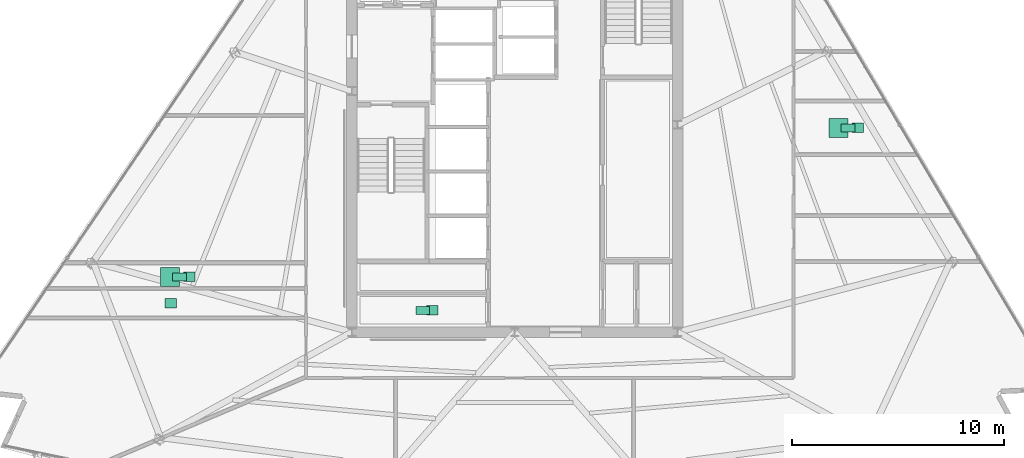
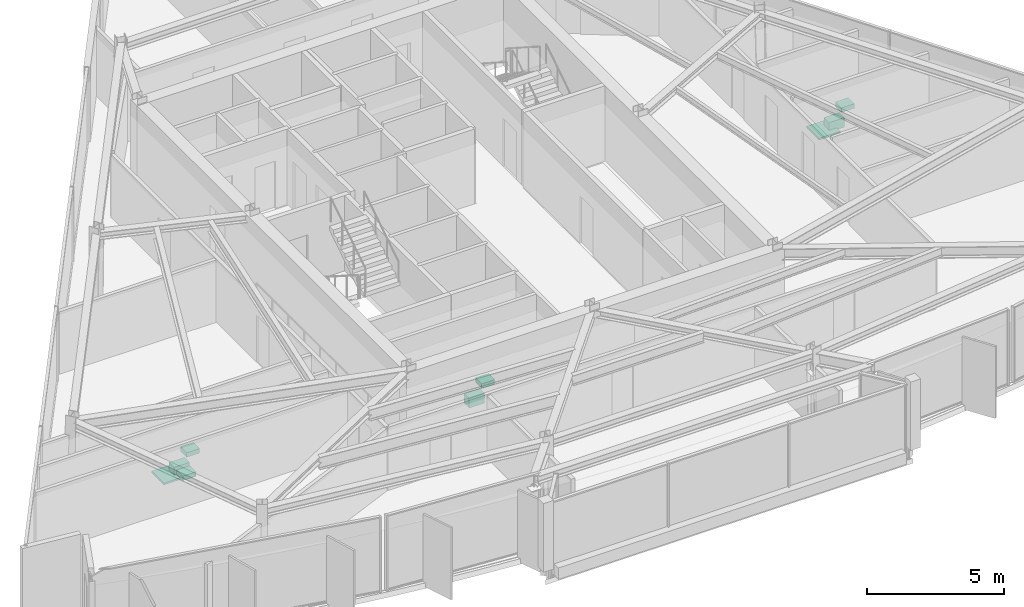
# One storey, part 14 of 14: 9 sanitary terminals.
"""IFC4 building model written with IfcOpenShell, lengths in metres."""

import ifcopenshell
import ifcopenshell.guid

model = None  # the IFC model being written
_history = None  # IfcOwnerHistory: only IFC2X3 demands one
_inside = {}  # id of a spatial element -> (the spatial element, [elements in it])
_under = {}  # id of a project, library or spatial element -> (it, [spatial elements below it])
_declared = {}  # id of a project -> (the project, [libraries it declares])
_typed = {}  # id of a type object -> (the type object, [elements of that type])
_made_of = {}  # id of a material, layer set ... -> (it, [elements and type objects made of it])


def new_model(schema):
    """Start an empty IFC model of exactly this schema.

    Asked for "IFC4X3", IfcOpenShell would pick the latest addendum, in which some entities
    have other attributes; the version numbers below select the first issue.
    IFC2X3 requires an IfcOwnerHistory on every rooted entity: one is made here for all.
    """
    global model, _history
    if schema == "IFC4X3":
        model = ifcopenshell.file(schema_version=(4, 3, 0, 0))
    else:
        model = ifcopenshell.file(schema=schema)
    _inside.clear()
    _under.clear()
    _declared.clear()
    _typed.clear()
    _made_of.clear()
    _history = None
    if model.schema == "IFC2X3":
        org = make("IfcOrganization", Name="unknown")
        user = make(
            "IfcPersonAndOrganization",
            ThePerson=make("IfcPerson", FamilyName="unknown"),
            TheOrganization=org,
        )
        app = make(
            "IfcApplication",
            ApplicationDeveloper=org,
            Version="unknown",
            ApplicationFullName="unknown",
            ApplicationIdentifier="unknown",
        )
        _history = make(
            "IfcOwnerHistory",
            OwningUser=user,
            OwningApplication=app,
            ChangeAction="ADDED",
            CreationDate=0,
        )
    return model


def make(cls, **values):
    """One entity of the class cls with the attributes given. An attribute that is None is left unset."""
    return model.create_entity(
        cls, **{name: value for name, value in values.items() if value is not None}
    )


def rooted(cls, **values):
    """An entity with a GlobalId (a new one), such as an element, a storey or a relation."""
    return make(cls, GlobalId=ifcopenshell.guid.new(), OwnerHistory=_history, **values)


def si_unit(unit_type, name, prefix=None):
    """IfcSIUnit, for example si_unit("LENGTHUNIT", "METRE", prefix="MILLI")."""
    return make("IfcSIUnit", UnitType=unit_type, Prefix=prefix, Name=name)


def assignment(units):
    """IfcUnitAssignment: the units of a project."""
    return None if units is None else make("IfcUnitAssignment", Units=units)


def point(xyz):
    """IfcCartesianPoint."""
    return None if xyz is None else make("IfcCartesianPoint", Coordinates=xyz)


def direction(xyz):
    """IfcDirection."""
    return None if xyz is None else make("IfcDirection", DirectionRatios=xyz)


def frame(location, z_axis=None, x_axis=None):
    """IfcAxis2Placement3D, a coordinate frame: its origin and axes. An axis left out is left unset."""
    return make(
        "IfcAxis2Placement3D",
        Location=point(location),
        Axis=direction(z_axis),
        RefDirection=direction(x_axis),
    )


def frame_2d(location, x_axis=None):
    """IfcAxis2Placement2D, a coordinate frame in the plane: its origin and x axis."""
    return make(
        "IfcAxis2Placement2D", Location=point(location), RefDirection=direction(x_axis)
    )


def origin():
    """The frame at (0, 0, 0) with its axes left unset."""
    return frame((0.0, 0.0, 0.0))


def origin_2d():
    """The frame at (0, 0) in the plane with its x axis left unset."""
    return frame_2d((0.0, 0.0))


def place(relative_to, where):
    """IfcLocalPlacement: puts the frame where relative to a parent placement (None: the world)."""
    return make(
        "IfcLocalPlacement", PlacementRelTo=relative_to, RelativePlacement=where
    )


def context(
    kind, dimensions, precision=None, world=None, true_north=None, identifier=None
):
    """IfcGeometricRepresentationContext, for example the 3D "Model" context."""
    return make(
        "IfcGeometricRepresentationContext",
        ContextIdentifier=identifier,
        ContextType=kind,
        CoordinateSpaceDimension=dimensions,
        Precision=precision,
        WorldCoordinateSystem=world,
        TrueNorth=true_north,
    )


def subcontext(parent, identifier, kind, view, scale=None):
    """IfcGeometricRepresentationSubContext, for example "Body" below "Model"."""
    return make(
        "IfcGeometricRepresentationSubContext",
        ContextIdentifier=identifier,
        ContextType=kind,
        ParentContext=parent,
        TargetScale=scale,
        TargetView=view,
    )


def project(units=None, contexts=None):
    """IfcProject with its units and contexts."""
    return rooted(
        "IfcProject",
        Name="project",
        RepresentationContexts=contexts,
        UnitsInContext=assignment(units),
    )


def spatial(cls, under=None, at=None, **own):
    """A site, building, storey or space (cls), placed at a placement, below another one or the project."""
    s = rooted(cls, ObjectPlacement=at, **own)
    if under is not None:
        _under.setdefault(under.id(), (under, []))[1].append(s)
    return s


def profile(cls, at=None, kind="AREA", **sizes):
    """A parametric profile (cls). Its sizes go by their IFC names, for example OverallWidth=200.0."""
    return make(cls, ProfileType=kind, Position=at, **sizes)


def rectangle(**sizes):
    """IfcRectangleProfileDef."""
    return profile("IfcRectangleProfileDef", **sizes)


def extrude(swept, where, along, depth):
    """IfcExtrudedAreaSolid: the profile swept, set in the frame where, extruded along a direction by depth."""
    return make(
        "IfcExtrudedAreaSolid",
        SweptArea=swept,
        Position=where,
        ExtrudedDirection=direction(along),
        Depth=depth,
    )


def shape(context_of_items, identifier, shape_type, items):
    """IfcShapeRepresentation: the items that make up one representation, for example the "Body"."""
    return make(
        "IfcShapeRepresentation",
        ContextOfItems=context_of_items,
        RepresentationIdentifier=identifier,
        RepresentationType=shape_type,
        Items=items,
    )


def material(Name=None, Category=None):
    """IfcMaterial."""
    return make("IfcMaterial", Name=Name, Category=Category)


def made_of(thing, what):
    """Note that an element or type object is made of a material, layer set ...; save() writes the relation."""
    if what is not None:
        _made_of.setdefault(what.id(), (what, []))[1].append(thing)
    return thing


def type_object(cls, material=None, **own):
    """A type object (cls), such as IfcWallType, which elements share."""
    return made_of(rooted(cls, **own), material)


def element(
    cls,
    number,
    at=None,
    inside=None,
    cuts=None,
    type_object=None,
    material=None,
    context=None,
    identifier="Body",
    shape_type=None,
    held_by="IfcProductDefinitionShape",
    body=None,
    shapes=None,
    **own,
):
    """One element of the class cls, such as IfcWall. Its Tag is "e" and its number.

    at: its placement. inside: the storey or other place that contains it. cuts: it is an
    opening in that element (IfcRelVoidsElement). A single representation is given by context,
    identifier, shape_type and body (its items); several are given by shapes. held_by: the class
    of the entity that holds the representations. save() writes the other relations.
    """
    e = rooted(cls, Tag="e%d" % number, ObjectPlacement=at, **own)
    if body is not None:
        shapes = [shape(context, identifier, shape_type, body)]
    if shapes is not None:
        e.Representation = make(held_by, Representations=shapes)
    if inside is not None:
        _inside.setdefault(inside.id(), (inside, []))[1].append(e)
    if cuts is not None:
        rooted(
            "IfcRelVoidsElement", RelatingBuildingElement=cuts, RelatedOpeningElement=e
        )
    if type_object is not None:
        _typed.setdefault(type_object.id(), (type_object, []))[1].append(e)
    return made_of(e, material)


def aggregate(whole, parts):
    """IfcRelAggregates: a whole, such as a stair, and the parts it consists of."""
    return rooted("IfcRelAggregates", RelatingObject=whole, RelatedObjects=parts)


def save(model, path):
    """Write the relations noted so far, then the file.

    IfcRelAggregates (storeys below a building ...), IfcRelContainedInSpatialStructure (elements
    in a storey), IfcRelDefinesByType, IfcRelAssociatesMaterial and IfcRelDeclares: one each for
    every whole, place, type object, material and project.
    """
    for whole, parts in _under.values():
        aggregate(whole, parts)
    for where, things in _inside.values():
        rooted(
            "IfcRelContainedInSpatialStructure",
            RelatedElements=things,
            RelatingStructure=where,
        )
    for kind, things in _typed.values():
        rooted("IfcRelDefinesByType", RelatedObjects=things, RelatingType=kind)
    for what, things in _made_of.values():
        rooted("IfcRelAssociatesMaterial", RelatedObjects=things, RelatingMaterial=what)
    for by, libraries in _declared.values():
        rooted("IfcRelDeclares", RelatingContext=by, RelatedDefinitions=libraries)
    model.write(path)


model = new_model("IFC4")

# Units and contexts
model_context = context("Model", 3, precision=1e-05, world=origin(), true_north=direction((0.0, 1.0)))
body_context = subcontext(model_context, "Body", "Model", "MODEL_VIEW")
ifc_project = project(units=[si_unit("LENGTHUNIT", "METRE"), si_unit("AREAUNIT", "SQUARE_METRE"), si_unit("VOLUMEUNIT", "CUBIC_METRE"), si_unit("PLANEANGLEUNIT", "RADIAN"), si_unit("MASSUNIT", "GRAM", prefix="KILO")], contexts=[model_context])

# Site, building, storey
site_placement = place(None, origin())
site = spatial("IfcSite", under=ifc_project, at=site_placement, CompositionType="ELEMENT")
building_placement = place(site_placement, origin())
building = spatial("IfcBuilding", under=site, at=building_placement, Name="Savorim Split Tower", CompositionType="ELEMENT")
storey_placement = place(building_placement, frame((0.0, 0.0, 205.5)))
storey = spatial("IfcBuildingStorey", under=building, at=storey_placement, Name="L54", CompositionType="ELEMENT", Elevation=205.5)

# Sanitary terminals
ifc_material = material(Name="Vitreous China Sanitaryware")
sanitary_terminal_type_1 = type_object("IfcSanitaryTerminalType", Name="SAN-SHW-900", PredefinedType="SHOWER", material=ifc_material)
for number, where, z_axis, x_axis, name in (
    (1, (-16.2900390625, -6.783935546875, 0.0), (0.0, 0.0, 1.0), (1.0, 0.0, 0.0), "L54 Shared Bathroom Shower"),
    (2, (15.306640625, 0.250732421875, 0.0), (0.0, 0.0, 1.0), (1.0, 0.0, 0.0), "L54 Shared Bathroom Shower"),
):
    element("IfcSanitaryTerminal", number, at=place(storey_placement, frame(where, z_axis=z_axis, x_axis=x_axis)), inside=storey, type_object=sanitary_terminal_type_1, Name=name, PredefinedType="SHOWER", context=body_context, shape_type="SweptSolid", body=[
        extrude(rectangle(XDim=0.89990234375, YDim=0.89990234375, at=origin_2d()), origin(), (0.0, 0.0, 1.0), 0.080078125),
    ])
sanitary_terminal_type_2 = type_object("IfcSanitaryTerminalType", Name="SAN-WC-PAN", PredefinedType="TOILETPAN", material=ifc_material)
for number, where, z_axis, x_axis, name in (
    (3, (-4.35009765625, -8.3701171875, 0.0), (0.0, 0.0, 1.0), (1.0, 0.0, 0.0), "L54 Public WC WC Pan"),
    (4, (-15.840087890625, -6.783935546875, 0.0), (0.0, 0.0, 1.0), (1.0, 0.0, 0.0), "L54 Shared Bathroom WC Pan"),
    (5, (15.756591796875, 0.250732421875, 0.0), (0.0, 0.0, 1.0), (1.0, 0.0, 0.0), "L54 Shared Bathroom WC Pan"),
):
    element("IfcSanitaryTerminal", number, at=place(storey_placement, frame(where, z_axis=z_axis, x_axis=x_axis)), inside=storey, type_object=sanitary_terminal_type_2, Name=name, PredefinedType="TOILETPAN", context=body_context, shape_type="SweptSolid", body=[
        extrude(rectangle(XDim=0.64990234375, YDim=0.3798828125, at=origin_2d()), origin(), (0.0, 0.0, 1.0), 0.419921875),
    ])
sanitary_terminal_type_3 = type_object("IfcSanitaryTerminalType", Name="SAN-WHB-550", PredefinedType="WASHHANDBASIN", material=ifc_material)
for number, where, z_axis, x_axis, name in (
    (6, (-3.89990234375, -8.3701171875, 0.72021484375), (0.0, 0.0, 1.0), (1.0, 0.0, 0.0), "L54 Public WC Washhand Basin"),
    (7, (-15.389892578125, -6.783935546875, 0.72021484375), (0.0, 0.0, 1.0), (1.0, 0.0, 0.0), "L54 Shared Bathroom Washhand Basin"),
    (8, (-16.2666015625, -8.03857421875, 0.75), (0.0, 0.0, 1.0), (1.0, 0.0, 0.0), "L54 Shared Kitchen Utility Sink"),
    (9, (16.206787109375, 0.250732421875, 0.72021484375), (0.0, 0.0, 1.0), (1.0, 0.0, 0.0), "L54 Shared Bathroom Washhand Basin"),
):
    element("IfcSanitaryTerminal", number, at=place(storey_placement, frame(where, z_axis=z_axis, x_axis=x_axis)), inside=storey, type_object=sanitary_terminal_type_3, Name=name, PredefinedType="WASHHANDBASIN", context=body_context, shape_type="SweptSolid", body=[
        extrude(rectangle(XDim=0.550048828125, YDim=0.449951171875, at=origin_2d()), origin(), (0.0, 0.0, 1.0), 0.199951171875),
    ])

save(model, "model.ifc")
